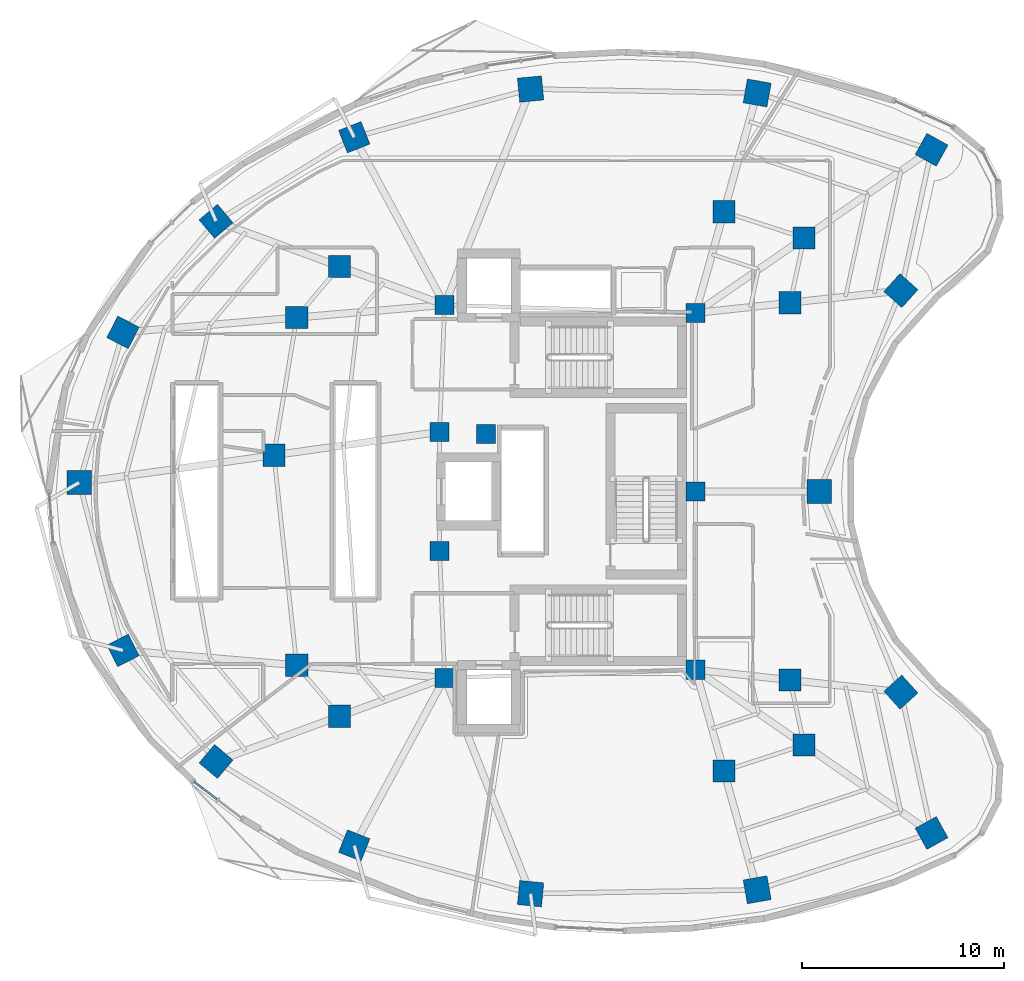
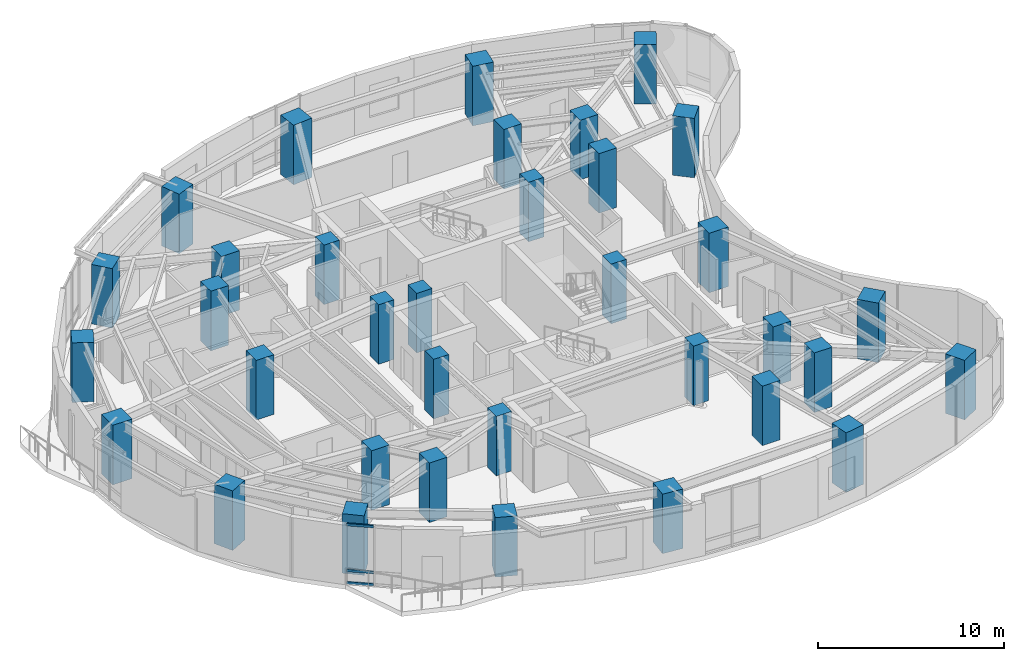
# One storey, part 1 of 14: 35 columns, 3 members, 1 element without a shape of its own.
"""IFC4 building model written with IfcOpenShell, lengths in metres."""

import ifcopenshell
import ifcopenshell.guid

model = None  # the IFC model being written
_history = None  # IfcOwnerHistory: only IFC2X3 demands one
_inside = {}  # id of a spatial element -> (the spatial element, [elements in it])
_under = {}  # id of a project, library or spatial element -> (it, [spatial elements below it])
_declared = {}  # id of a project -> (the project, [libraries it declares])
_typed = {}  # id of a type object -> (the type object, [elements of that type])
_made_of = {}  # id of a material, layer set ... -> (it, [elements and type objects made of it])


def new_model(schema):
    """Start an empty IFC model of exactly this schema.

    Asked for "IFC4X3", IfcOpenShell would pick the latest addendum, in which some entities
    have other attributes; the version numbers below select the first issue.
    IFC2X3 requires an IfcOwnerHistory on every rooted entity: one is made here for all.
    """
    global model, _history
    if schema == "IFC4X3":
        model = ifcopenshell.file(schema_version=(4, 3, 0, 0))
    else:
        model = ifcopenshell.file(schema=schema)
    _inside.clear()
    _under.clear()
    _declared.clear()
    _typed.clear()
    _made_of.clear()
    _history = None
    if model.schema == "IFC2X3":
        org = make("IfcOrganization", Name="unknown")
        user = make(
            "IfcPersonAndOrganization",
            ThePerson=make("IfcPerson", FamilyName="unknown"),
            TheOrganization=org,
        )
        app = make(
            "IfcApplication",
            ApplicationDeveloper=org,
            Version="unknown",
            ApplicationFullName="unknown",
            ApplicationIdentifier="unknown",
        )
        _history = make(
            "IfcOwnerHistory",
            OwningUser=user,
            OwningApplication=app,
            ChangeAction="ADDED",
            CreationDate=0,
        )
    return model


def make(cls, **values):
    """One entity of the class cls with the attributes given. An attribute that is None is left unset."""
    return model.create_entity(
        cls, **{name: value for name, value in values.items() if value is not None}
    )


def rooted(cls, **values):
    """An entity with a GlobalId (a new one), such as an element, a storey or a relation."""
    return make(cls, GlobalId=ifcopenshell.guid.new(), OwnerHistory=_history, **values)


def si_unit(unit_type, name, prefix=None):
    """IfcSIUnit, for example si_unit("LENGTHUNIT", "METRE", prefix="MILLI")."""
    return make("IfcSIUnit", UnitType=unit_type, Prefix=prefix, Name=name)


def assignment(units):
    """IfcUnitAssignment: the units of a project."""
    return None if units is None else make("IfcUnitAssignment", Units=units)


def point(xyz):
    """IfcCartesianPoint."""
    return None if xyz is None else make("IfcCartesianPoint", Coordinates=xyz)


def direction(xyz):
    """IfcDirection."""
    return None if xyz is None else make("IfcDirection", DirectionRatios=xyz)


def frame(location, z_axis=None, x_axis=None):
    """IfcAxis2Placement3D, a coordinate frame: its origin and axes. An axis left out is left unset."""
    return make(
        "IfcAxis2Placement3D",
        Location=point(location),
        Axis=direction(z_axis),
        RefDirection=direction(x_axis),
    )


def frame_2d(location, x_axis=None):
    """IfcAxis2Placement2D, a coordinate frame in the plane: its origin and x axis."""
    return make(
        "IfcAxis2Placement2D", Location=point(location), RefDirection=direction(x_axis)
    )


def origin():
    """The frame at (0, 0, 0) with its axes left unset."""
    return frame((0.0, 0.0, 0.0))


def origin_2d():
    """The frame at (0, 0) in the plane with its x axis left unset."""
    return frame_2d((0.0, 0.0))


def place(relative_to, where):
    """IfcLocalPlacement: puts the frame where relative to a parent placement (None: the world)."""
    return make(
        "IfcLocalPlacement", PlacementRelTo=relative_to, RelativePlacement=where
    )


def context(
    kind, dimensions, precision=None, world=None, true_north=None, identifier=None
):
    """IfcGeometricRepresentationContext, for example the 3D "Model" context."""
    return make(
        "IfcGeometricRepresentationContext",
        ContextIdentifier=identifier,
        ContextType=kind,
        CoordinateSpaceDimension=dimensions,
        Precision=precision,
        WorldCoordinateSystem=world,
        TrueNorth=true_north,
    )


def subcontext(parent, identifier, kind, view, scale=None):
    """IfcGeometricRepresentationSubContext, for example "Body" below "Model"."""
    return make(
        "IfcGeometricRepresentationSubContext",
        ContextIdentifier=identifier,
        ContextType=kind,
        ParentContext=parent,
        TargetScale=scale,
        TargetView=view,
    )


def project(units=None, contexts=None):
    """IfcProject with its units and contexts."""
    return rooted(
        "IfcProject",
        Name="project",
        RepresentationContexts=contexts,
        UnitsInContext=assignment(units),
    )


def spatial(cls, under=None, at=None, **own):
    """A site, building, storey or space (cls), placed at a placement, below another one or the project."""
    s = rooted(cls, ObjectPlacement=at, **own)
    if under is not None:
        _under.setdefault(under.id(), (under, []))[1].append(s)
    return s


def profile(cls, at=None, kind="AREA", **sizes):
    """A parametric profile (cls). Its sizes go by their IFC names, for example OverallWidth=200.0."""
    return make(cls, ProfileType=kind, Position=at, **sizes)


def rectangle(**sizes):
    """IfcRectangleProfileDef."""
    return profile("IfcRectangleProfileDef", **sizes)


def extrude(swept, where, along, depth):
    """IfcExtrudedAreaSolid: the profile swept, set in the frame where, extruded along a direction by depth."""
    return make(
        "IfcExtrudedAreaSolid",
        SweptArea=swept,
        Position=where,
        ExtrudedDirection=direction(along),
        Depth=depth,
    )


def shape(context_of_items, identifier, shape_type, items):
    """IfcShapeRepresentation: the items that make up one representation, for example the "Body"."""
    return make(
        "IfcShapeRepresentation",
        ContextOfItems=context_of_items,
        RepresentationIdentifier=identifier,
        RepresentationType=shape_type,
        Items=items,
    )


def material(Name=None, Category=None):
    """IfcMaterial."""
    return make("IfcMaterial", Name=Name, Category=Category)


def layer(
    of_material, thickness, ventilated=None, Name=None, Category=None, Priority=None
):
    """IfcMaterialLayer: one layer of a wall or slab, of a material (None: an air gap)."""
    return make(
        "IfcMaterialLayer",
        Material=of_material,
        LayerThickness=thickness,
        IsVentilated=ventilated,
        Name=Name,
        Category=Category,
        Priority=Priority,
    )


def layer_set(layers, Name=None):
    """IfcMaterialLayerSet."""
    return make("IfcMaterialLayerSet", MaterialLayers=layers, LayerSetName=Name)


def material_profile(
    of_material, cross_section, Name=None, Category=None, Priority=None
):
    """IfcMaterialProfile: a cross section and its material."""
    return make(
        "IfcMaterialProfile",
        Name=Name,
        Material=of_material,
        Profile=cross_section,
        Priority=Priority,
        Category=Category,
    )


def profile_set(profiles, Name=None, composite=None):
    """IfcMaterialProfileSet."""
    return make(
        "IfcMaterialProfileSet",
        Name=Name,
        MaterialProfiles=profiles,
        CompositeProfile=composite,
    )


def made_of(thing, what):
    """Note that an element or type object is made of a material, layer set ...; save() writes the relation."""
    if what is not None:
        _made_of.setdefault(what.id(), (what, []))[1].append(thing)
    return thing


def type_object(cls, material=None, **own):
    """A type object (cls), such as IfcWallType, which elements share."""
    return made_of(rooted(cls, **own), material)


def element(
    cls,
    number,
    at=None,
    inside=None,
    cuts=None,
    type_object=None,
    material=None,
    context=None,
    identifier="Body",
    shape_type=None,
    held_by="IfcProductDefinitionShape",
    body=None,
    shapes=None,
    **own,
):
    """One element of the class cls, such as IfcWall. Its Tag is "e" and its number.

    at: its placement. inside: the storey or other place that contains it. cuts: it is an
    opening in that element (IfcRelVoidsElement). A single representation is given by context,
    identifier, shape_type and body (its items); several are given by shapes. held_by: the class
    of the entity that holds the representations. save() writes the other relations.
    """
    e = rooted(cls, Tag="e%d" % number, ObjectPlacement=at, **own)
    if body is not None:
        shapes = [shape(context, identifier, shape_type, body)]
    if shapes is not None:
        e.Representation = make(held_by, Representations=shapes)
    if inside is not None:
        _inside.setdefault(inside.id(), (inside, []))[1].append(e)
    if cuts is not None:
        rooted(
            "IfcRelVoidsElement", RelatingBuildingElement=cuts, RelatedOpeningElement=e
        )
    if type_object is not None:
        _typed.setdefault(type_object.id(), (type_object, []))[1].append(e)
    return made_of(e, material)


def aggregate(whole, parts):
    """IfcRelAggregates: a whole, such as a stair, and the parts it consists of."""
    return rooted("IfcRelAggregates", RelatingObject=whole, RelatedObjects=parts)


def save(model, path):
    """Write the relations noted so far, then the file.

    IfcRelAggregates (storeys below a building ...), IfcRelContainedInSpatialStructure (elements
    in a storey), IfcRelDefinesByType, IfcRelAssociatesMaterial and IfcRelDeclares: one each for
    every whole, place, type object, material and project.
    """
    for whole, parts in _under.values():
        aggregate(whole, parts)
    for where, things in _inside.values():
        rooted(
            "IfcRelContainedInSpatialStructure",
            RelatedElements=things,
            RelatingStructure=where,
        )
    for kind, things in _typed.values():
        rooted("IfcRelDefinesByType", RelatedObjects=things, RelatingType=kind)
    for what, things in _made_of.values():
        rooted("IfcRelAssociatesMaterial", RelatedObjects=things, RelatingMaterial=what)
    for by, libraries in _declared.values():
        rooted("IfcRelDeclares", RelatingContext=by, RelatedDefinitions=libraries)
    model.write(path)


model = new_model("IFC4")

# Units and contexts
model_context = context("Model", 3, precision=1e-05, world=origin(), true_north=direction((0.0, 1.0)))
body_context = subcontext(model_context, "Body", "Model", "MODEL_VIEW")
ifc_project = project(units=[si_unit("LENGTHUNIT", "METRE"), si_unit("AREAUNIT", "SQUARE_METRE"), si_unit("VOLUMEUNIT", "CUBIC_METRE"), si_unit("PLANEANGLEUNIT", "RADIAN"), si_unit("MASSUNIT", "GRAM", prefix="KILO")], contexts=[model_context])

# Site, building, storey
site_placement = place(None, origin())
site = spatial("IfcSite", under=ifc_project, at=site_placement, CompositionType="ELEMENT")
building_placement = place(site_placement, origin())
building = spatial("IfcBuilding", under=site, at=building_placement, Name="Korentha Bioscience Tower", CompositionType="ELEMENT")
storey_placement = place(building_placement, frame((0.0, 0.0, 119.39990234375)))
storey = spatial("IfcBuildingStorey", under=building, at=storey_placement, Name="L27", CompositionType="ELEMENT", Elevation=119.39990234375)

# Columns
ifc_material_1 = material(Name="Concrete C65", Category="concrete")
ifc_material_profile_1 = material_profile(ifc_material_1, rectangle(XDim=0.949951171875, YDim=0.949951171875, at=origin_2d()), Name="Concrete C65")
ifc_profile_set_1 = profile_set([ifc_material_profile_1], Name="Concrete C65 (COL-CP09)")
column_type_1 = type_object("IfcColumnType", Name="Core Pilaster Column RC 950x950", PredefinedType="PILASTER", material=ifc_profile_set_1)
for number, where, z_axis, x_axis, name in (
    (1, (37.550048828125, 35.85009765625, -0.00048828125), (0.0, 0.0, 1.0), (1.0, 0.0, 0.0), "L27 Core Pilaster CP-01"),
    (2, (25.10009765625, 36.25, -0.00048828125), (0.0, 0.0, 1.0), (1.0, 0.0, 0.0), "L27 Core Pilaster CP-02"),
    (3, (24.85009765625, 29.949951171875, -0.00048828125), (0.0, 0.0, 1.0), (1.0, 0.0, 0.0), "L27 Core Pilaster CP-03"),
    (4, (27.14990234375, 29.85009765625, -0.00048828125), (0.0, 0.0, 1.0), (1.0, 0.0, 0.0), "L27 Core Pilaster CP-04"),
    (5, (24.85009765625, 24.050048828125, -0.00048828125), (0.0, 0.0, 1.0), (1.0, 0.0, 0.0), "L27 Core Pilaster CP-05"),
    (6, (25.10009765625, 17.75, -0.00048828125), (0.0, 0.0, 1.0), (1.0, 0.0, 0.0), "L27 Core Pilaster CP-06"),
    (7, (37.550048828125, 18.14990234375, -0.00048828125), (0.0, 0.0, 1.0), (1.0, 0.0, 0.0), "L27 Core Pilaster CP-07"),
    (8, (37.550048828125, 27.0, -0.00048828125), (0.0, 0.0, 1.0), (1.0, 0.0, 0.0), "L27 Core Pilaster CP-08"),
):
    element("IfcColumn", number, at=place(storey_placement, frame(where, z_axis=z_axis, x_axis=x_axis)), inside=storey, type_object=column_type_1, Name=name, PredefinedType="PILASTER", context=body_context, shape_type="SweptSolid", body=[
        extrude(rectangle(XDim=0.949951171875, YDim=0.949951171875, at=origin_2d()), origin(), (0.0, 0.0, 1.0), 3.901123046875),
    ])
ifc_material_2 = material(Name="Concrete C80", Category="concrete")
ifc_material_profile_2 = material_profile(ifc_material_2, rectangle(XDim=1.10009765625, YDim=1.10009765625, at=origin_2d()), Name="Concrete C80")
ifc_profile_set_2 = profile_set([ifc_material_profile_2], Name="Concrete C80 (COL-MR11)")
column_type_2 = type_object("IfcColumnType", Name="Mid-Ring Lab Column RC 1100x1100", PredefinedType="COLUMN", material=ifc_profile_set_2)
for number, where, z_axis, x_axis, name in (
    (9, (42.93603515625, 39.57470703125, -0.00048828125), (0.0, 0.0, 1.0), (1.0, 0.0, 0.0), "L27 Mid-Ring Column 01"),
    (10, (38.954833984375, 40.870849609375, -0.00048828125), (0.0, 0.0, 1.0), (1.0, 0.0, 0.0), "L27 Mid-Ring Column 02"),
    (11, (19.882568359375, 38.158935546875, -0.00048828125), (0.0, 0.0, 1.0), (1.0, 0.0, 0.0), "L27 Mid-Ring Column 05"),
    (12, (17.75927734375, 35.6240234375, -0.00048828125), (0.0, 0.0, 1.0), (1.0, 0.0, 0.0), "L27 Mid-Ring Column 06"),
    (13, (16.627197265625, 28.796630859375, -0.00048828125), (0.0, 0.0, 1.0), (1.0, 0.0, 0.0), "L27 Mid-Ring Column 07"),
    (14, (17.75927734375, 18.3759765625, -0.00048828125), (0.0, 0.0, 1.0), (1.0, 0.0, 0.0), "L27 Mid-Ring Column 08"),
    (15, (19.882568359375, 15.841064453125, -0.00048828125), (0.0, 0.0, 1.0), (1.0, 0.0, 0.0), "L27 Mid-Ring Column 09"),
    (16, (38.954833984375, 13.129150390625, -0.00048828125), (0.0, 0.0, 1.0), (1.0, 0.0, 0.0), "L27 Mid-Ring Column 12"),
    (17, (42.93603515625, 14.42529296875, -0.00048828125), (0.0, 0.0, 1.0), (1.0, 0.0, 0.0), "L27 Mid-Ring Column 13"),
    (18, (42.235595703125, 17.639404296875, -0.00048828125), (0.0, 0.0, 1.0), (1.0, 0.0, 0.0), "L27 Mid-Ring Column 14"),
    (19, (42.235595703125, 36.360595703125, -0.00048828125), (0.0, 0.0, 1.0), (1.0, 0.0, 0.0), "L27 Mid-Ring Column 16"),
):
    element("IfcColumn", number, at=place(storey_placement, frame(where, z_axis=z_axis, x_axis=x_axis)), inside=storey, type_object=column_type_2, Name=name, PredefinedType="COLUMN", context=body_context, shape_type="SweptSolid", body=[
        extrude(rectangle(XDim=1.10009765625, YDim=1.10009765625, at=origin_2d()), origin(), (0.0, 0.0, 1.0), 3.901123046875),
    ])
ifc_material_profile_3 = material_profile(ifc_material_2, rectangle(XDim=1.199951171875, YDim=1.199951171875, at=origin_2d()), Name="Concrete C80")
ifc_profile_set_3 = profile_set([ifc_material_profile_3], Name="Concrete C80 (COL-P12)")
column_type_3 = type_object("IfcColumnType", Name="Perimeter Column RC 1200x1200", PredefinedType="COLUMN", material=ifc_profile_set_3)
for number, where, z_axis, x_axis, name in (
    (20, (49.2587890625, 43.947021484375, -0.00048828125), (0.0, 0.0, 1.0), (-0.874535078577, 0.484962262797, 0.0), "L27 Perimeter Column 01"),
    (21, (40.604248046875, 46.764892578125, -0.00048828125), (0.0, 0.0, 1.0), (-0.984868307662, 0.173304404339, 0.0), "L27 Perimeter Column 02"),
    (22, (29.3642578125, 46.959228515625, -0.00048828125), (0.0, 0.0, 1.0), (0.995462868748, 0.095150811579, 0.0), "L27 Perimeter Column 03"),
    (23, (20.614990234375, 44.5693359375, -0.00048828125), (0.0, 0.0, 1.0), (0.930225540858, 0.366988341962, 0.0), "L27 Perimeter Column 04"),
    (24, (13.7578125, 40.400146484375, -0.00048828125), (0.0, 0.0, 1.0), (0.764246456939, 0.644924300253, 0.0), "L27 Perimeter Column 05"),
    (25, (9.141845703125, 34.889404296875, -0.00048828125), (0.0, 0.0, 1.0), (0.453057191132, 0.891481453292, 0.0), "L27 Perimeter Column 06"),
    (26, (6.97412109375, 27.4423828125, -0.00048828125), (0.0, 0.0, 1.0), (0.0, 1.0, 0.0), "L27 Perimeter Column 07"),
    (27, (9.141845703125, 19.110595703125, -0.00048828125), (0.0, 0.0, 1.0), (-0.453057191132, 0.891481453292, 0.0), "L27 Perimeter Column 08"),
    (28, (13.7578125, 13.599853515625, -0.00048828125), (0.0, 0.0, 1.0), (-0.764246456939, 0.644924300253, 0.0), "L27 Perimeter Column 09"),
    (29, (20.614990234375, 9.4306640625, -0.00048828125), (0.0, 0.0, 1.0), (-0.930225540858, 0.366988341962, 0.0), "L27 Perimeter Column 10"),
    (30, (29.3642578125, 7.040771484375, -0.00048828125), (0.0, 0.0, 1.0), (-0.995462868748, 0.095150811579, 0.0), "L27 Perimeter Column 11"),
    (31, (40.604248046875, 7.235107421875, -0.00048828125), (0.0, 0.0, 1.0), (0.984868307662, 0.173304404339, 0.0), "L27 Perimeter Column 12"),
    (32, (49.2587890625, 10.052978515625, -0.00048828125), (0.0, 0.0, 1.0), (0.874535078577, 0.484962262797, 0.0), "L27 Perimeter Column 13"),
    (33, (47.736083984375, 17.040283203125, -0.00048828125), (0.0, 0.0, 1.0), (-0.669130606359, 0.743144825477, 0.0), "L27 Perimeter Column 14"),
    (34, (43.680908203125, 27.0, -0.00048828125), (0.0, 0.0, 1.0), (0.0, 1.0, 0.0), "L27 Perimeter Column 15"),
    (35, (47.736083984375, 36.959716796875, -0.00048828125), (0.0, 0.0, 1.0), (0.669130606359, 0.743144825477, 0.0), "L27 Perimeter Column 16"),
):
    element("IfcColumn", number, at=place(storey_placement, frame(where, z_axis=z_axis, x_axis=x_axis)), inside=storey, type_object=column_type_3, Name=name, PredefinedType="COLUMN", context=body_context, shape_type="SweptSolid", body=[
        extrude(rectangle(XDim=1.199951171875, YDim=1.199951171875, at=origin_2d()), origin(), (0.0, 0.0, 1.0), 3.901123046875),
    ])

# Curtain wall, members
ifc_material_3 = material(Name="Thermally Broken Aluminium Frame", Category="aluminium")
ifc_layer = layer(ifc_material_3, 0.219970703125, Name="Thermally Broken Aluminium Frame")
ifc_layer_set = layer_set([ifc_layer], Name="Thermally Broken Aluminium Frame (CW-T1)")
curtain_wall_type = type_object("IfcCurtainWallType", Name="Standard Bioscience Lab Unitised Curtain Wall CW-T1", PredefinedType="USERDEFINED", material=ifc_layer_set)
curtain_wall_placement = place(storey_placement, origin())
curtain_wall = element("IfcCurtainWall", 36, at=curtain_wall_placement, inside=storey, type_object=curtain_wall_type, Name="L27 Curtain Wall 25", ObjectType="UNITISED", PredefinedType="USERDEFINED")
ifc_material_4 = material(Name="Anodised Aluminium 6063-T6", Category="aluminium")
ifc_material_profile_4 = material_profile(ifc_material_4, rectangle(XDim=0.090087890625, YDim=0.159912109375, at=origin_2d()), Name="Anodised Aluminium 6063-T6")
ifc_profile_set_4 = profile_set([ifc_material_profile_4], Name="Anodised Aluminium 6063-T6 (CW-TRN)")
member_type = type_object("IfcMemberType", Name="Transom RECT 90x160", PredefinedType="USERDEFINED", material=ifc_profile_set_4)
member_1_placement = place(storey_placement, frame((12.659912109375, 12.601318359375, 0.045166015625), z_axis=(0.794559026989, -0.607186917374, 0.0), x_axis=(0.607186917374, 0.794559026989, 0.0)))
member_1 = element("IfcMember", 37, at=member_1_placement, type_object=member_type, Name="CW-L27-25 Bay 1 Transom 1", ObjectType="TRANSOM", PredefinedType="USERDEFINED", context=body_context, shape_type="SweptSolid", body=[
    extrude(rectangle(XDim=0.090087890625, YDim=0.159912109375, at=origin_2d()), origin(), (0.0, 0.0, 1.0), 1.4462890625),
])
member_2_placement = place(storey_placement, frame((12.659912109375, 12.601318359375, 0.85009765625), z_axis=(0.794559026989, -0.607186917374, 0.0), x_axis=(0.607186917374, 0.794559026989, 0.0)))
member_2 = element("IfcMember", 38, at=member_2_placement, type_object=member_type, Name="CW-L27-25 Bay 1 Transom 2", ObjectType="TRANSOM", PredefinedType="USERDEFINED", context=body_context, shape_type="SweptSolid", body=[
    extrude(rectangle(XDim=0.090087890625, YDim=0.159912109375, at=origin_2d()), origin(), (0.0, 0.0, 1.0), 1.4462890625),
])
member_3_placement = place(storey_placement, frame((12.659912109375, 12.601318359375, 3.85498046875), z_axis=(0.794559026989, -0.607186917374, 0.0), x_axis=(0.607186917374, 0.794559026989, 0.0)))
member_3 = element("IfcMember", 39, at=member_3_placement, type_object=member_type, Name="CW-L27-25 Bay 1 Transom 3", ObjectType="TRANSOM", PredefinedType="USERDEFINED", context=body_context, shape_type="SweptSolid", body=[
    extrude(rectangle(XDim=0.090087890625, YDim=0.159912109375, at=origin_2d()), origin(), (0.0, 0.0, 1.0), 1.4462890625),
])
aggregate(curtain_wall, [member_1, member_2, member_3])

save(model, "model.ifc")
